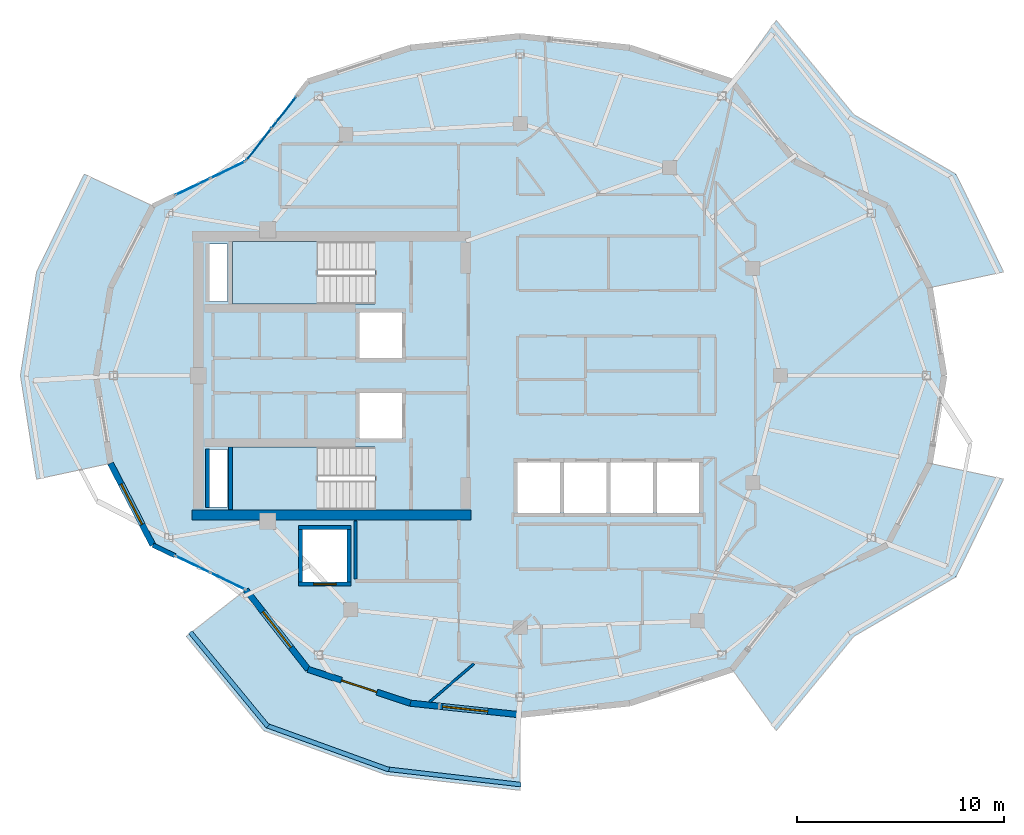
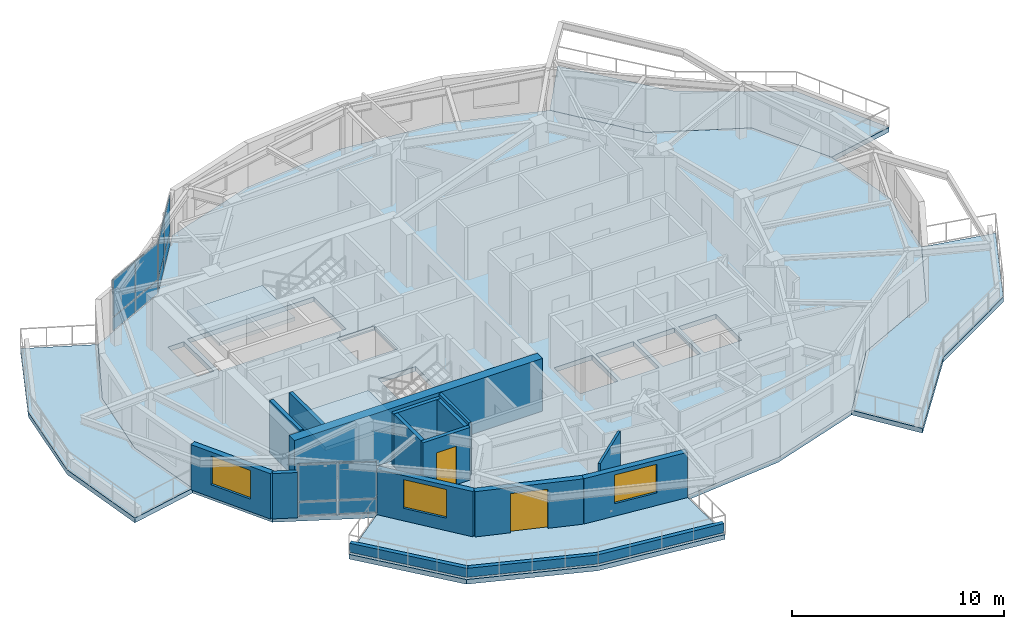
# One storey, part 7 of 14: 17 walls, 15 plates, 7 slabs, 3 windows, 2 doors, 5 openings, 5 elements without a shape of their own.
"""IFC4 building model written with IfcOpenShell, lengths in metres."""

import ifcopenshell
import ifcopenshell.guid

model = None  # the IFC model being written
_history = None  # IfcOwnerHistory: only IFC2X3 demands one
_inside = {}  # id of a spatial element -> (the spatial element, [elements in it])
_under = {}  # id of a project, library or spatial element -> (it, [spatial elements below it])
_declared = {}  # id of a project -> (the project, [libraries it declares])
_typed = {}  # id of a type object -> (the type object, [elements of that type])
_made_of = {}  # id of a material, layer set ... -> (it, [elements and type objects made of it])


def new_model(schema):
    """Start an empty IFC model of exactly this schema.

    Asked for "IFC4X3", IfcOpenShell would pick the latest addendum, in which some entities
    have other attributes; the version numbers below select the first issue.
    IFC2X3 requires an IfcOwnerHistory on every rooted entity: one is made here for all.
    """
    global model, _history
    if schema == "IFC4X3":
        model = ifcopenshell.file(schema_version=(4, 3, 0, 0))
    else:
        model = ifcopenshell.file(schema=schema)
    _inside.clear()
    _under.clear()
    _declared.clear()
    _typed.clear()
    _made_of.clear()
    _history = None
    if model.schema == "IFC2X3":
        org = make("IfcOrganization", Name="unknown")
        user = make(
            "IfcPersonAndOrganization",
            ThePerson=make("IfcPerson", FamilyName="unknown"),
            TheOrganization=org,
        )
        app = make(
            "IfcApplication",
            ApplicationDeveloper=org,
            Version="unknown",
            ApplicationFullName="unknown",
            ApplicationIdentifier="unknown",
        )
        _history = make(
            "IfcOwnerHistory",
            OwningUser=user,
            OwningApplication=app,
            ChangeAction="ADDED",
            CreationDate=0,
        )
    return model


def make(cls, **values):
    """One entity of the class cls with the attributes given. An attribute that is None is left unset."""
    return model.create_entity(
        cls, **{name: value for name, value in values.items() if value is not None}
    )


def rooted(cls, **values):
    """An entity with a GlobalId (a new one), such as an element, a storey or a relation."""
    return make(cls, GlobalId=ifcopenshell.guid.new(), OwnerHistory=_history, **values)


def si_unit(unit_type, name, prefix=None):
    """IfcSIUnit, for example si_unit("LENGTHUNIT", "METRE", prefix="MILLI")."""
    return make("IfcSIUnit", UnitType=unit_type, Prefix=prefix, Name=name)


def assignment(units):
    """IfcUnitAssignment: the units of a project."""
    return None if units is None else make("IfcUnitAssignment", Units=units)


def point(xyz):
    """IfcCartesianPoint."""
    return None if xyz is None else make("IfcCartesianPoint", Coordinates=xyz)


def direction(xyz):
    """IfcDirection."""
    return None if xyz is None else make("IfcDirection", DirectionRatios=xyz)


def frame(location, z_axis=None, x_axis=None):
    """IfcAxis2Placement3D, a coordinate frame: its origin and axes. An axis left out is left unset."""
    return make(
        "IfcAxis2Placement3D",
        Location=point(location),
        Axis=direction(z_axis),
        RefDirection=direction(x_axis),
    )


def frame_2d(location, x_axis=None):
    """IfcAxis2Placement2D, a coordinate frame in the plane: its origin and x axis."""
    return make(
        "IfcAxis2Placement2D", Location=point(location), RefDirection=direction(x_axis)
    )


def origin():
    """The frame at (0, 0, 0) with its axes left unset."""
    return frame((0.0, 0.0, 0.0))


def origin_2d():
    """The frame at (0, 0) in the plane with its x axis left unset."""
    return frame_2d((0.0, 0.0))


def place(relative_to, where):
    """IfcLocalPlacement: puts the frame where relative to a parent placement (None: the world)."""
    return make(
        "IfcLocalPlacement", PlacementRelTo=relative_to, RelativePlacement=where
    )


def context(
    kind, dimensions, precision=None, world=None, true_north=None, identifier=None
):
    """IfcGeometricRepresentationContext, for example the 3D "Model" context."""
    return make(
        "IfcGeometricRepresentationContext",
        ContextIdentifier=identifier,
        ContextType=kind,
        CoordinateSpaceDimension=dimensions,
        Precision=precision,
        WorldCoordinateSystem=world,
        TrueNorth=true_north,
    )


def subcontext(parent, identifier, kind, view, scale=None):
    """IfcGeometricRepresentationSubContext, for example "Body" below "Model"."""
    return make(
        "IfcGeometricRepresentationSubContext",
        ContextIdentifier=identifier,
        ContextType=kind,
        ParentContext=parent,
        TargetScale=scale,
        TargetView=view,
    )


def project(units=None, contexts=None):
    """IfcProject with its units and contexts."""
    return rooted(
        "IfcProject",
        Name="project",
        RepresentationContexts=contexts,
        UnitsInContext=assignment(units),
    )


def spatial(cls, under=None, at=None, **own):
    """A site, building, storey or space (cls), placed at a placement, below another one or the project."""
    s = rooted(cls, ObjectPlacement=at, **own)
    if under is not None:
        _under.setdefault(under.id(), (under, []))[1].append(s)
    return s


def polyline(points):
    """IfcPolyline through the points."""
    return make("IfcPolyline", Points=[point(p) for p in points])


def profile(cls, at=None, kind="AREA", **sizes):
    """A parametric profile (cls). Its sizes go by their IFC names, for example OverallWidth=200.0."""
    return make(cls, ProfileType=kind, Position=at, **sizes)


def rectangle(**sizes):
    """IfcRectangleProfileDef."""
    return profile("IfcRectangleProfileDef", **sizes)


def outline(outer, holes=None, kind="AREA"):
    """IfcArbitraryClosedProfileDef: a profile drawn as a closed curve; with holes, ...WithVoids."""
    if holes is None:
        return make("IfcArbitraryClosedProfileDef", ProfileType=kind, OuterCurve=outer)
    return make(
        "IfcArbitraryProfileDefWithVoids",
        ProfileType=kind,
        OuterCurve=outer,
        InnerCurves=holes,
    )


def extrude(swept, where, along, depth):
    """IfcExtrudedAreaSolid: the profile swept, set in the frame where, extruded along a direction by depth."""
    return make(
        "IfcExtrudedAreaSolid",
        SweptArea=swept,
        Position=where,
        ExtrudedDirection=direction(along),
        Depth=depth,
    )


def shape(context_of_items, identifier, shape_type, items):
    """IfcShapeRepresentation: the items that make up one representation, for example the "Body"."""
    return make(
        "IfcShapeRepresentation",
        ContextOfItems=context_of_items,
        RepresentationIdentifier=identifier,
        RepresentationType=shape_type,
        Items=items,
    )


def material(Name=None, Category=None):
    """IfcMaterial."""
    return make("IfcMaterial", Name=Name, Category=Category)


def layer(
    of_material, thickness, ventilated=None, Name=None, Category=None, Priority=None
):
    """IfcMaterialLayer: one layer of a wall or slab, of a material (None: an air gap)."""
    return make(
        "IfcMaterialLayer",
        Material=of_material,
        LayerThickness=thickness,
        IsVentilated=ventilated,
        Name=Name,
        Category=Category,
        Priority=Priority,
    )


def layer_set(layers, Name=None):
    """IfcMaterialLayerSet."""
    return make("IfcMaterialLayerSet", MaterialLayers=layers, LayerSetName=Name)


def made_of(thing, what):
    """Note that an element or type object is made of a material, layer set ...; save() writes the relation."""
    if what is not None:
        _made_of.setdefault(what.id(), (what, []))[1].append(thing)
    return thing


def type_object(cls, material=None, **own):
    """A type object (cls), such as IfcWallType, which elements share."""
    return made_of(rooted(cls, **own), material)


def element(
    cls,
    number,
    at=None,
    inside=None,
    cuts=None,
    type_object=None,
    material=None,
    context=None,
    identifier="Body",
    shape_type=None,
    held_by="IfcProductDefinitionShape",
    body=None,
    shapes=None,
    **own,
):
    """One element of the class cls, such as IfcWall. Its Tag is "e" and its number.

    at: its placement. inside: the storey or other place that contains it. cuts: it is an
    opening in that element (IfcRelVoidsElement). A single representation is given by context,
    identifier, shape_type and body (its items); several are given by shapes. held_by: the class
    of the entity that holds the representations. save() writes the other relations.
    """
    e = rooted(cls, Tag="e%d" % number, ObjectPlacement=at, **own)
    if body is not None:
        shapes = [shape(context, identifier, shape_type, body)]
    if shapes is not None:
        e.Representation = make(held_by, Representations=shapes)
    if inside is not None:
        _inside.setdefault(inside.id(), (inside, []))[1].append(e)
    if cuts is not None:
        rooted(
            "IfcRelVoidsElement", RelatingBuildingElement=cuts, RelatedOpeningElement=e
        )
    if type_object is not None:
        _typed.setdefault(type_object.id(), (type_object, []))[1].append(e)
    return made_of(e, material)


def fill(opening, filler):
    """IfcRelFillsElement: the door or window that sits in an opening."""
    return rooted(
        "IfcRelFillsElement",
        RelatingOpeningElement=opening,
        RelatedBuildingElement=filler,
    )


def aggregate(whole, parts):
    """IfcRelAggregates: a whole, such as a stair, and the parts it consists of."""
    return rooted("IfcRelAggregates", RelatingObject=whole, RelatedObjects=parts)


def save(model, path):
    """Write the relations noted so far, then the file.

    IfcRelAggregates (storeys below a building ...), IfcRelContainedInSpatialStructure (elements
    in a storey), IfcRelDefinesByType, IfcRelAssociatesMaterial and IfcRelDeclares: one each for
    every whole, place, type object, material and project.
    """
    for whole, parts in _under.values():
        aggregate(whole, parts)
    for where, things in _inside.values():
        rooted(
            "IfcRelContainedInSpatialStructure",
            RelatedElements=things,
            RelatingStructure=where,
        )
    for kind, things in _typed.values():
        rooted("IfcRelDefinesByType", RelatedObjects=things, RelatingType=kind)
    for what, things in _made_of.values():
        rooted("IfcRelAssociatesMaterial", RelatedObjects=things, RelatingMaterial=what)
    for by, libraries in _declared.values():
        rooted("IfcRelDeclares", RelatingContext=by, RelatedDefinitions=libraries)
    model.write(path)


model = new_model("IFC4")

# Units and contexts
model_context = context("Model", 3, precision=1e-05, world=origin(), true_north=direction((0.0, 1.0)))
body_context = subcontext(model_context, "Body", "Model", "MODEL_VIEW")
ifc_project = project(units=[si_unit("LENGTHUNIT", "METRE"), si_unit("AREAUNIT", "SQUARE_METRE"), si_unit("VOLUMEUNIT", "CUBIC_METRE"), si_unit("PLANEANGLEUNIT", "RADIAN"), si_unit("MASSUNIT", "GRAM", prefix="KILO")], contexts=[model_context])

# Site, building, storey
site_placement = place(None, origin())
site = spatial("IfcSite", under=ifc_project, at=site_placement, CompositionType="ELEMENT")
building_placement = place(site_placement, origin())
building = spatial("IfcBuilding", under=site, at=building_placement, Name="Kolvaren Gate Tower and Convention Centre", CompositionType="ELEMENT")
storey_placement = place(building_placement, frame((0.0, 0.0, 259.10009765625)))
storey = spatial("IfcBuildingStorey", under=building, at=storey_placement, Name="L70", CompositionType="ELEMENT", Elevation=259.10009765625)

# Plates
ifc_material_1 = material(Name="Perforated Anodized Bronze Aluminium Sheet 6 mm", Category="aluminium")
ifc_layer_1 = layer(ifc_material_1, 0.011962890625)
ifc_layer_set_1 = layer_set([ifc_layer_1], Name="Perforated Anodized Bronze Aluminium Sheet 6 mm")
plate_type_1 = type_object("IfcPlateType", Name="ARCH-PL-SCREEN-PERF", PredefinedType="SHEET", material=ifc_layer_set_1)
for number, where, z_axis, x_axis, name in (
    (1, (18.352783203125, 39.2998046875, 2.18994140625), (0.0, 0.0, 1.0), (0.616429996253, 0.787409715281, 0.0), "Tower L70 Perforated Bronze Solar Screen SS-08"),
    (2, (14.59521484375, 36.2939453125, 2.18994140625), (0.0, 0.0, 1.0), (0.901356122373, 0.433078677218, 0.0), "Tower L70 Perforated Bronze Solar Screen SS-09"),
    (3, (14.59521484375, 17.7060546875, 2.18994140625), (0.0, 0.0, 1.0), (0.901356122373, -0.433078677218, 0.0), "Tower L70 Perforated Bronze Solar Screen SS-14"),
):
    element("IfcPlate", number, at=place(storey_placement, frame(where, z_axis=z_axis, x_axis=x_axis)), inside=storey, type_object=plate_type_1, Name=name, PredefinedType="SHEET", context=body_context, shape_type="SweptSolid", body=[
        extrude(rectangle(XDim=2.60009765625, YDim=0.011962890625, at=origin_2d()), origin(), (0.0, 0.0, 1.0), 0.840087890625),
    ])

# Curtain wall, plates
ifc_material_2 = material(Name="Anodized Architectural Aluminium Alloy 6063-T6", Category="aluminium")
ifc_layer_2 = layer(ifc_material_2, 0.159912109375)
ifc_layer_set_2 = layer_set([ifc_layer_2], Name="Anodized Architectural Aluminium Alloy 6063-T6")
curtain_wall_type = type_object("IfcCurtainWallType", Name="CW-RES-UNIT", PredefinedType="NOTDEFINED", material=ifc_layer_set_2)
curtain_wall_1_placement = place(storey_placement, origin())
curtain_wall_1 = element("IfcCurtainWall", 4, at=curtain_wall_1_placement, inside=storey, type_object=curtain_wall_type, Name="Tower L70 Unitised Curtain Wall CW-RES-UNIT Bay 08", PredefinedType="NOTDEFINED")
ifc_material_3 = material(Name="Low-E Triple Insulated Glazing Unit 44 mm", Category="glass")
ifc_layer_3 = layer(ifc_material_3, 0.0439453125)
ifc_layer_set_3 = layer_set([ifc_layer_3], Name="Low-E Triple Insulated Glazing Unit 44 mm")
plate_type_2 = type_object("IfcPlateType", Name="CW-PL-IGU-44", PredefinedType="CURTAIN_PANEL", material=ifc_layer_set_3)
plate_1_placement = place(storey_placement, frame((17.474365234375, 38.177978515625, 0.88232421875), z_axis=(0.0, 0.0, 1.0), x_axis=(0.616425867976, 0.787412947119, 0.0)))
plate_1 = element("IfcPlate", 5, at=plate_1_placement, type_object=plate_type_2, Name="CW-04 panel 1.2", PredefinedType="CURTAIN_PANEL", context=body_context, shape_type="SweptSolid", body=[
    extrude(rectangle(XDim=1.908447265625, YDim=0.0439453125, at=origin_2d()), origin(), (0.0, 0.0, 1.0), 2.08251953125),
])
plate_2_placement = place(storey_placement, frame((18.69091796875, 39.73193359375, 0.88232421875), z_axis=(0.0, 0.0, 1.0), x_axis=(0.616425867976, 0.787412947119, 0.0)))
plate_2 = element("IfcPlate", 6, at=plate_2_placement, type_object=plate_type_2, Name="CW-04 panel 2.2", PredefinedType="CURTAIN_PANEL", context=body_context, shape_type="SweptSolid", body=[
    extrude(rectangle(XDim=1.908447265625, YDim=0.0439453125, at=origin_2d()), origin(), (0.0, 0.0, 1.0), 2.08251953125),
])

curtain_wall_2_placement = place(storey_placement, origin())
curtain_wall_2 = element("IfcCurtainWall", 7, at=curtain_wall_2_placement, inside=storey, type_object=curtain_wall_type, Name="Tower L70 Unitised Curtain Wall CW-RES-UNIT Bay 09", PredefinedType="NOTDEFINED")
plate_3_placement = place(storey_placement, frame((14.282958984375, 36.143798828125, 0.88232421875), z_axis=(0.0, 0.0, 1.0), x_axis=(0.901360122469, 0.433070351816, 0.0)))
plate_3 = element("IfcPlate", 8, at=plate_3_placement, type_object=plate_type_2, Name="CW-04 panel 1.2", PredefinedType="CURTAIN_PANEL", context=body_context, shape_type="SweptSolid", body=[
    extrude(rectangle(XDim=1.80908203125, YDim=0.0439453125, at=origin_2d()), origin(), (0.0, 0.0, 1.0), 2.08251953125),
])
plate_4_placement = place(storey_placement, frame((15.97216796875, 36.95556640625, 0.88232421875), z_axis=(0.0, 0.0, 1.0), x_axis=(0.901360122469, 0.433070351816, 0.0)))
plate_4 = element("IfcPlate", 9, at=plate_4_placement, type_object=plate_type_2, Name="CW-04 panel 2.2", PredefinedType="CURTAIN_PANEL", context=body_context, shape_type="SweptSolid", body=[
    extrude(rectangle(XDim=1.80908203125, YDim=0.0439453125, at=origin_2d()), origin(), (0.0, 0.0, 1.0), 2.08251953125),
])

curtain_wall_3_placement = place(storey_placement, origin())
curtain_wall_3 = element("IfcCurtainWall", 10, at=curtain_wall_3_placement, inside=storey, type_object=curtain_wall_type, Name="Tower L70 Unitised Curtain Wall CW-RES-UNIT Bay 14", PredefinedType="NOTDEFINED")
plate_5_placement = place(storey_placement, frame((14.282958984375, 17.856201171875, 0.88232421875), z_axis=(0.0, 0.0, 1.0), x_axis=(0.901360122469, -0.433070351816, 0.0)))
plate_5 = element("IfcPlate", 11, at=plate_5_placement, type_object=plate_type_2, Name="CW-04 panel 1.2", PredefinedType="CURTAIN_PANEL", context=body_context, shape_type="SweptSolid", body=[
    extrude(rectangle(XDim=1.80908203125, YDim=0.0439453125, at=origin_2d()), origin(), (0.0, 0.0, 1.0), 2.08251953125),
])
plate_6_placement = place(storey_placement, frame((15.97216796875, 17.04443359375, 0.88232421875), z_axis=(0.0, 0.0, 1.0), x_axis=(0.901360122469, -0.433070351816, 0.0)))
plate_6 = element("IfcPlate", 12, at=plate_6_placement, type_object=plate_type_2, Name="CW-04 panel 2.2", PredefinedType="CURTAIN_PANEL", context=body_context, shape_type="SweptSolid", body=[
    extrude(rectangle(XDim=1.80908203125, YDim=0.0439453125, at=origin_2d()), origin(), (0.0, 0.0, 1.0), 2.08251953125),
])

# Plate
ifc_material_4 = material(Name="Solar-Control Laminated Curtain Glazing 36 mm", Category="glass")
ifc_layer_4 = layer(ifc_material_4, 0.035888671875)
ifc_layer_set_4 = layer_set([ifc_layer_4], Name="Solar-Control Laminated Curtain Glazing 36 mm")
plate_type_3 = type_object("IfcPlateType", Name="CW-PL-SPAN-36", PredefinedType="CURTAIN_PANEL", material=ifc_layer_set_4)
plate_7_placement = place(storey_placement, frame((17.474365234375, 38.177978515625, 0.06494140625), z_axis=(0.0, 0.0, 1.0), x_axis=(0.616425867976, 0.787412947119, 0.0)))
plate_7 = element("IfcPlate", 13, at=plate_7_placement, type_object=plate_type_3, Name="CW-04 panel 1.1", PredefinedType="CURTAIN_PANEL", context=body_context, shape_type="SweptSolid", body=[
    extrude(rectangle(XDim=1.908447265625, YDim=0.035888671875, at=origin_2d()), origin(), (0.0, 0.0, 1.0), 0.75244140625),
])

plate_8_placement = place(storey_placement, frame((18.69091796875, 39.73193359375, 0.06494140625), z_axis=(0.0, 0.0, 1.0), x_axis=(0.616425867976, 0.787412947119, 0.0)))
plate_8 = element("IfcPlate", 14, at=plate_8_placement, type_object=plate_type_3, Name="CW-04 panel 2.1", PredefinedType="CURTAIN_PANEL", context=body_context, shape_type="SweptSolid", body=[
    extrude(rectangle(XDim=1.908447265625, YDim=0.035888671875, at=origin_2d()), origin(), (0.0, 0.0, 1.0), 0.75244140625),
])

aggregate(curtain_wall_1, [plate_7, plate_1, plate_8, plate_2])

plate_9_placement = place(storey_placement, frame((14.282958984375, 36.143798828125, 0.06494140625), z_axis=(0.0, 0.0, 1.0), x_axis=(0.901360122469, 0.433070351816, 0.0)))
plate_9 = element("IfcPlate", 15, at=plate_9_placement, type_object=plate_type_3, Name="CW-04 panel 1.1", PredefinedType="CURTAIN_PANEL", context=body_context, shape_type="SweptSolid", body=[
    extrude(rectangle(XDim=1.80908203125, YDim=0.035888671875, at=origin_2d()), origin(), (0.0, 0.0, 1.0), 0.75244140625),
])

plate_10_placement = place(storey_placement, frame((15.97216796875, 36.95556640625, 0.06494140625), z_axis=(0.0, 0.0, 1.0), x_axis=(0.901360122469, 0.433070351816, 0.0)))
plate_10 = element("IfcPlate", 16, at=plate_10_placement, type_object=plate_type_3, Name="CW-04 panel 2.1", PredefinedType="CURTAIN_PANEL", context=body_context, shape_type="SweptSolid", body=[
    extrude(rectangle(XDim=1.80908203125, YDim=0.035888671875, at=origin_2d()), origin(), (0.0, 0.0, 1.0), 0.75244140625),
])

aggregate(curtain_wall_2, [plate_9, plate_3, plate_10, plate_4])

plate_11_placement = place(storey_placement, frame((14.282958984375, 17.856201171875, 0.06494140625), z_axis=(0.0, 0.0, 1.0), x_axis=(0.901360122469, -0.433070351816, 0.0)))
plate_11 = element("IfcPlate", 17, at=plate_11_placement, type_object=plate_type_3, Name="CW-04 panel 1.1", PredefinedType="CURTAIN_PANEL", context=body_context, shape_type="SweptSolid", body=[
    extrude(rectangle(XDim=1.80908203125, YDim=0.035888671875, at=origin_2d()), origin(), (0.0, 0.0, 1.0), 0.75244140625),
])

plate_12_placement = place(storey_placement, frame((15.97216796875, 17.04443359375, 0.06494140625), z_axis=(0.0, 0.0, 1.0), x_axis=(0.901360122469, -0.433070351816, 0.0)))
plate_12 = element("IfcPlate", 18, at=plate_12_placement, type_object=plate_type_3, Name="CW-04 panel 2.1", PredefinedType="CURTAIN_PANEL", context=body_context, shape_type="SweptSolid", body=[
    extrude(rectangle(XDim=1.80908203125, YDim=0.035888671875, at=origin_2d()), origin(), (0.0, 0.0, 1.0), 0.75244140625),
])

aggregate(curtain_wall_3, [plate_11, plate_5, plate_12, plate_6])

# Slabs
ifc_material_5 = material(Name="Concrete C50/60", Category="concrete")
ifc_layer_5 = layer(ifc_material_5, 0.27001953125)
ifc_layer_set_5 = layer_set([ifc_layer_5], Name="Concrete C50/60")
slab_type_1 = type_object("IfcSlabType", Name="STR-SL-BALC-270", PredefinedType="FLOOR", material=ifc_layer_set_5)
slab_1_placement = place(storey_placement, frame((0.0, 0.0, -0.27001953125)))
element("IfcSlab", 19, at=slab_1_placement, inside=storey, type_object=slab_type_1, Name="Tower L70 Planted Balcony Terrace Slab 1 (East)", PredefinedType="FLOOR", context=body_context, shape_type="SweptSolid", body=[
    extrude(outline(polyline([(49.956787109375, 31.251220703125), (47.905517578125, 35.21240234375), (43.40380859375, 37.37548828125), (40.390625, 41.224609375), (42.532470703125, 44.1923828125), (46.287841796875, 39.62890625), (51.228271484375, 36.747314453125), (53.535400390625, 32.018310546875), (49.956787109375, 31.251220703125)])), origin(), (0.0, 0.0, 1.0), 0.27001953125),
])
slab_2_placement = place(storey_placement, frame((0.0, 0.0, -0.27001953125)))
element("IfcSlab", 20, at=slab_2_placement, inside=storey, type_object=slab_type_1, Name="Tower L70 Planted Balcony Terrace Slab 2 (West)", PredefinedType="FLOOR", context=body_context, shape_type="SweptSolid", body=[
    extrude(outline(polyline([(12.344482421875, 35.21240234375), (10.293212890625, 31.251220703125), (9.59375, 27.0), (10.293212890625, 22.748779296875), (6.714599609375, 21.981689453125), (5.933837890625, 27.0), (6.714599609375, 32.018310546875), (9.021728515625, 36.747314453125), (12.344482421875, 35.21240234375)])), origin(), (0.0, 0.0, 1.0), 0.27001953125),
])
slab_3_placement = place(storey_placement, frame((0.0, 0.0, -0.27001953125)))
element("IfcSlab", 21, at=slab_3_placement, inside=storey, type_object=slab_type_1, Name="Tower L70 Planted Balcony Terrace Slab 3 (South)", PredefinedType="FLOOR", context=body_context, shape_type="SweptSolid", body=[
    extrude(outline(polyline([(16.84619140625, 16.62451171875), (19.859375, 12.775390625), (24.81103515625, 11.134765625), (30.125, 10.574951171875), (30.125, 6.9150390625), (23.648681640625, 7.664306640625), (17.717529296875, 9.8076171875), (13.962158203125, 14.37109375), (16.84619140625, 16.62451171875)])), origin(), (0.0, 0.0, 1.0), 0.27001953125),
])
slab_4_placement = place(storey_placement, frame((0.0, 0.0, -0.27001953125)))
element("IfcSlab", 22, at=slab_4_placement, inside=storey, type_object=slab_type_1, Name="Tower L70 Planted Balcony Terrace Slab 4 (East)", PredefinedType="FLOOR", context=body_context, shape_type="SweptSolid", body=[
    extrude(outline(polyline([(40.390625, 12.775390625), (43.40380859375, 16.62451171875), (47.905517578125, 18.78759765625), (49.956787109375, 22.748779296875), (53.535400390625, 21.981689453125), (51.228271484375, 17.252685546875), (46.287841796875, 14.37109375), (42.532470703125, 9.8076171875), (40.390625, 12.775390625)])), origin(), (0.0, 0.0, 1.0), 0.27001953125),
])
ifc_material_6 = material(Name="Concrete C40/50", Category="concrete")
ifc_layer_6 = layer(ifc_material_6, 0.27001953125)
ifc_layer_set_6 = layer_set([ifc_layer_6], Name="Concrete C40/50")
slab_type_2 = type_object("IfcSlabType", Name="STR-SL-FLR-270", PredefinedType="FLOOR", material=ifc_layer_set_6)
slab_5_placement = place(storey_placement, frame((0.0, 0.0, -0.27001953125)))
element("IfcSlab", 23, at=slab_5_placement, inside=storey, type_object=slab_type_2, Name="Tower L70 Structural Floor Slab", PredefinedType="FLOOR", context=body_context, shape_type="SweptSolid", body=[
    extrude(outline(polyline([(50.65625, 27.0), (49.95654296875, 31.251220703125), (47.905517578125, 35.21240234375), (43.40380859375, 37.37548828125), (40.390625, 41.224609375), (35.43896484375, 42.865234375), (30.125, 43.425048828125), (24.81103515625, 42.865234375), (19.859375, 41.224609375), (16.84619140625, 37.37548828125), (12.344482421875, 35.21240234375), (10.29345703125, 31.251220703125), (9.59375, 27.0), (10.29345703125, 22.748779296875), (12.344482421875, 18.78759765625), (16.84619140625, 16.62451171875), (19.859375, 12.775390625), (24.81103515625, 11.134765625), (30.125, 10.574951171875), (35.43896484375, 11.134765625), (40.390625, 12.775390625), (43.40380859375, 16.62451171875), (47.905517578125, 18.78759765625), (49.95654296875, 22.748779296875), (50.65625, 27.0)]), holes=[polyline([(36.75, 20.35009765625), (36.75, 22.800048828125), (38.800048828125, 22.800048828125), (38.800048828125, 20.35009765625), (36.75, 20.35009765625)]), polyline([(36.550048828125, 20.35009765625), (34.5, 20.35009765625), (34.5, 22.800048828125), (36.550048828125, 22.800048828125), (36.550048828125, 20.35009765625)]), polyline([(32.25, 20.35009765625), (32.25, 22.800048828125), (34.300048828125, 22.800048828125), (34.300048828125, 20.35009765625), (32.25, 20.35009765625)]), polyline([(30.0, 20.35009765625), (30.0, 22.800048828125), (32.050048828125, 22.800048828125), (32.050048828125, 20.35009765625), (30.0, 20.35009765625)]), polyline([(22.35009765625, 23.9599609375), (22.35009765625, 26.159912109375), (24.39990234375, 26.159912109375), (24.39990234375, 23.9599609375), (22.35009765625, 23.9599609375)]), polyline([(22.35009765625, 27.840087890625), (22.35009765625, 30.0400390625), (24.39990234375, 30.0400390625), (24.39990234375, 27.840087890625), (22.35009765625, 27.840087890625)]), polyline([(16.199951171875, 23.5400390625), (23.10009765625, 23.5400390625), (23.10009765625, 20.5), (16.199951171875, 20.5), (16.199951171875, 23.5400390625)]), polyline([(16.199951171875, 33.5), (23.10009765625, 33.5), (23.10009765625, 30.4599609375), (16.199951171875, 30.4599609375), (16.199951171875, 33.5)]), polyline([(21.75, 17.0), (19.60009765625, 17.0), (19.60009765625, 19.550048828125), (21.75, 19.550048828125), (21.75, 17.0)]), polyline([(15.080078125, 30.580078125), (15.080078125, 33.3701171875), (15.969970703125, 33.3701171875), (15.969970703125, 30.580078125), (15.080078125, 30.580078125)]), polyline([(15.969970703125, 20.6298828125), (15.080078125, 20.6298828125), (15.080078125, 23.419921875), (15.969970703125, 23.419921875), (15.969970703125, 20.6298828125)])]), origin(), (0.0, 0.0, 1.0), 0.27001953125),
])

# Stair, slab
stair_type = type_object("IfcStairType", Name="STR-STAIR-CORE", PredefinedType="HALF_TURN_STAIR", material=ifc_material_5)
stair_1_placement = place(storey_placement, origin())
stair_1 = element("IfcStair", 24, at=stair_1_placement, inside=storey, type_object=stair_type, Name="L70 Tower North Exit Stair ST-T1", PredefinedType="HALF_TURN_STAIR")
ifc_layer_7 = layer(ifc_material_5, 0.199951171875)
ifc_layer_set_7 = layer_set([ifc_layer_7], Name="Concrete C50/60")
slab_type_3 = type_object("IfcSlabType", Name="STR-SL-LAND-200", PredefinedType="LANDING", material=ifc_layer_set_7)
slab_6_placement = place(storey_placement, frame((0.0, 0.0, 1.449951171875)))
slab_6 = element("IfcSlab", 25, at=slab_6_placement, type_object=slab_type_3, Name="ST-T1 landing 1", PredefinedType="LANDING", context=body_context, shape_type="SweptSolid", body=[
    extrude(outline(polyline([(20.31005859375, 33.5), (16.199951171875, 33.5), (16.199951171875, 30.4599609375), (20.31005859375, 30.4599609375), (20.31005859375, 33.5)])), origin(), (0.0, 0.0, 1.0), 0.199951171875),
])
aggregate(stair_1, [slab_6])

stair_2_placement = place(storey_placement, origin())
stair_2 = element("IfcStair", 26, at=stair_2_placement, inside=storey, type_object=stair_type, Name="L70 Tower South Exit Stair ST-T2", PredefinedType="HALF_TURN_STAIR")
slab_7_placement = place(storey_placement, frame((0.0, 0.0, 1.449951171875)))
slab_7 = element("IfcSlab", 27, at=slab_7_placement, type_object=slab_type_3, Name="ST-T2 landing 1", PredefinedType="LANDING", context=body_context, shape_type="SweptSolid", body=[
    extrude(outline(polyline([(20.31005859375, 23.5400390625), (16.199951171875, 23.5400390625), (16.199951171875, 20.5), (20.31005859375, 20.5), (20.31005859375, 23.5400390625)])), origin(), (0.0, 0.0, 1.0), 0.199951171875),
])
aggregate(stair_2, [slab_7])

# Walls
ifc_material_7 = material(Name="Fire-Rated Acoustic Gypsum Stud Partition", Category="gypsum")
ifc_layer_8 = layer(ifc_material_7, 0.1201171875)
ifc_layer_set_8 = layer_set([ifc_layer_8], Name="Fire-Rated Acoustic Gypsum Stud Partition")
wall_type_1 = type_object("IfcWallType", Name="ARCH-WL-PART-120", PredefinedType="PARTITIONING", material=ifc_layer_set_8)
wall_1_placement = place(storey_placement, frame((25.738525390625, 11.18994140625, 0.0), z_axis=(0.0, 0.0, 1.0), x_axis=(0.75818689734, 0.652037290883, 0.0)))
element("IfcWall", 28, at=wall_1_placement, inside=storey, type_object=wall_type_1, Name="Interior Partition WL-L70-INT-073", PredefinedType="PARTITIONING", context=body_context, shape_type="SweptSolid", body=[
    extrude(rectangle(XDim=2.838134765625, YDim=0.1201171875, at=frame_2d((1.4189453125, 0.0))), origin(), (0.0, 0.0, 1.0), 3.02978515625),
])
ifc_material_8 = material(Name="Bogota Sabana Bush-Hammered Sandstone Cladding", Category="masonry")
ifc_layer_9 = layer(ifc_material_8, 0.219970703125)
ifc_layer_set_9 = layer_set([ifc_layer_9], Name="Bogota Sabana Bush-Hammered Sandstone Cladding")
wall_type_2 = type_object("IfcWallType", Name="ARCH-WL-PIER-220", PredefinedType="SOLIDWALL", material=ifc_layer_set_9)
wall_2_placement = place(storey_placement, frame((12.344482421875, 18.78759765625, 0.0), z_axis=(0.0, 0.0, 1.0), x_axis=(0.901264843027, -0.433268603437, 0.0)))
element("IfcWall", 29, at=wall_2_placement, inside=storey, type_object=wall_type_2, Name="Tower L70 Unitised Curtain Wall CW-RES-UNIT Bay 14 Left Column Pier Wrap", PredefinedType="SOLIDWALL", context=body_context, shape_type="SweptSolid", body=[
    extrude(rectangle(XDim=1.18115234375, YDim=0.219970703125, at=frame_2d((0.590576171875, 0.0))), origin(), (0.0, 0.0, 1.0), 2.60498046875),
])
ifc_material_9 = material(Name="Piedmont Cream Honed Limestone Cladding", Category="masonry")
ifc_layer_10 = layer(ifc_material_9, 0.219970703125)
ifc_layer_set_10 = layer_set([ifc_layer_10], Name="Piedmont Cream Honed Limestone Cladding")
wall_type_3 = type_object("IfcWallType", Name="ARCH-WL-PLANTER-220", PredefinedType="PARAPET", material=ifc_layer_set_10)
wall_3_placement = place(storey_placement, frame((14.15576171875, 14.573486328125, 0.0), z_axis=(0.0, 0.0, 1.0), x_axis=(0.635450933862, -0.772141250455, 0.0)))
element("IfcWall", 30, at=wall_3_placement, inside=storey, type_object=wall_type_3, Name="Vertical-Forest Balcony Stone Planter Kerb PK-L70-3.1", PredefinedType="PARAPET", context=body_context, shape_type="SweptSolid", body=[
    extrude(rectangle(XDim=5.91015625, YDim=0.219970703125, at=frame_2d((2.955078125, 0.0))), origin(), (0.0, 0.0, 1.0), 0.52001953125),
])
wall_4_placement = place(storey_placement, frame((17.84619140625, 10.056396484375, 0.0), z_axis=(0.0, 0.0, 1.0), x_axis=(0.940465240036, -0.339889882585, 0.0)))
element("IfcWall", 31, at=wall_4_placement, inside=storey, type_object=wall_type_3, Name="Vertical-Forest Balcony Stone Planter Kerb PK-L70-3.2", PredefinedType="PARAPET", context=body_context, shape_type="SweptSolid", body=[
    extrude(rectangle(XDim=6.306640625, YDim=0.219970703125, at=frame_2d((3.1533203125, 0.0))), origin(), (0.0, 0.0, 1.0), 0.52001953125),
])
wall_5_placement = place(storey_placement, frame((23.694091796875, 7.9404296875, 0.0), z_axis=(0.0, 0.0, 1.0), x_axis=(0.993378231371, -0.114889901378, 0.0)))
element("IfcWall", 32, at=wall_5_placement, inside=storey, type_object=wall_type_3, Name="Vertical-Forest Balcony Stone Planter Kerb PK-L70-3.3", PredefinedType="PARAPET", context=body_context, shape_type="SweptSolid", body=[
    extrude(rectangle(XDim=6.51953125, YDim=0.219970703125, at=frame_2d((3.259765625, 0.0))), origin(), (0.0, 0.0, 1.0), 0.52001953125),
])
ifc_material_10 = material(Name="Autoclaved Aerated Masonry Blockwork Class 4 (4.0 MPa)", Category="masonry")
ifc_layer_11 = layer(ifc_material_10, 0.199951171875)
ifc_layer_set_11 = layer_set([ifc_layer_11], Name="Autoclaved Aerated Masonry Blockwork Class 4 (4.0 MPa)")
wall_type_4 = type_object("IfcWallType", Name="ARCH-WL-SHAFT-200", PredefinedType="SOLIDWALL", material=ifc_layer_set_11)
wall_6_placement = place(storey_placement, frame((19.39990234375, 19.64990234375, 0.0), z_axis=(0.0, 0.0, 1.0), x_axis=(1.0, 0.0, 0.0)))
element("IfcWall", 33, at=wall_6_placement, inside=storey, type_object=wall_type_4, Name="Elevator SV-01 L70 Fire Shaft Wall N", PredefinedType="SOLIDWALL", context=body_context, shape_type="SweptSolid", body=[
    extrude(rectangle(XDim=2.550048828125, YDim=0.199951171875, at=frame_2d((1.27490234375, 0.0))), origin(), (0.0, 0.0, 1.0), 3.02978515625),
])

# Wall, opening, door
wall_7_placement = place(storey_placement, frame((19.39990234375, 16.89990234375, 0.0), z_axis=(0.0, 0.0, 1.0), x_axis=(1.0, 0.0, 0.0)))
wall_7 = element("IfcWall", 34, at=wall_7_placement, inside=storey, type_object=wall_type_4, Name="Elevator SV-01 L70 Fire Shaft Wall S", PredefinedType="SOLIDWALL", context=body_context, shape_type="SweptSolid", body=[
    extrude(rectangle(XDim=2.550048828125, YDim=0.199951171875, at=frame_2d((1.27490234375, 0.0))), origin(), (0.0, 0.0, 1.0), 3.02978515625),
])
opening_1_placement = place(wall_7_placement, frame((0.72509765625, 0.0, 0.0)))
opening_1 = element("IfcOpeningElement", 35, at=opening_1_placement, cuts=wall_7, Name="Opening LD", PredefinedType="OPENING", context=body_context, shape_type="SweptSolid", body=[
    extrude(rectangle(XDim=1.10009765625, YDim=2.199951171875, at=frame_2d((0.550048828125, 1.10009765625))), frame((0.0, 0.10986328125, 0.0), z_axis=(0.0, -1.0, 0.0), x_axis=(1.0, 0.0, 0.0)), (0.0, 0.0, 1.0), 0.219970703125),
])
ifc_material_11 = material(Name="Brushed Stainless Steel Grade 316L", Category="steel")
door_type_1 = type_object("IfcDoorType", Name="ARCH-DR-LIFT-1100", OperationType="SLIDING_TO_LEFT", PredefinedType="DOOR", material=ifc_material_11)
door_1_placement = place(opening_1_placement, origin())
door_1 = element("IfcDoor", 36, at=door_1_placement, inside=storey, type_object=door_type_1, Name="Elevator SV-01 L70 Sliding Landing Door", OperationType="SLIDING_TO_LEFT", OverallHeight=2.199951171875, OverallWidth=1.10009765625, PredefinedType="DOOR", context=body_context, shape_type="SweptSolid", body=[
    extrude(rectangle(XDim=1.10009765625, YDim=2.199951171875, at=frame_2d((0.550048828125, 1.10009765625))), frame((0.0, 0.02490234375, 0.0), z_axis=(0.0, -1.0, 0.0), x_axis=(1.0, 0.0, 0.0)), (0.0, 0.0, 1.0), 0.050048828125),
])
fill(opening_1, door_1)

# Walls
for number, where, z_axis, x_axis, name in (
    (37, (19.5, 17.010009765625, 0.0), (0.0, 0.0, 1.0), (0.0, 1.0, 0.0), "Elevator SV-01 L70 Fire Shaft Wall W"),
    (38, (21.85009765625, 17.010009765625, 0.0), (0.0, 0.0, 1.0), (0.0, 1.0, 0.0), "Elevator SV-01 L70 Fire Shaft Wall E"),
):
    element("IfcWall", number, at=place(storey_placement, frame(where, z_axis=z_axis, x_axis=x_axis)), inside=storey, type_object=wall_type_4, Name=name, PredefinedType="SOLIDWALL", context=body_context, shape_type="SweptSolid", body=[
        extrude(rectangle(XDim=2.530029296875, YDim=0.199951171875, at=frame_2d((1.26513671875, 0.0))), origin(), (0.0, 0.0, 1.0), 3.02978515625),
    ])
wall_8_placement = place(storey_placement, frame((14.989990234375, 20.60009765625, 0.0), z_axis=(0.0, 0.0, 1.0), x_axis=(0.0, 1.0, 0.0)))
element("IfcWall", 39, at=wall_8_placement, inside=storey, type_object=wall_type_4, Name="Vertical Shaft MPR L70 EI-120 Enclosure Wall W", PredefinedType="SOLIDWALL", context=body_context, shape_type="SweptSolid", body=[
    extrude(rectangle(XDim=2.849853515625, YDim=0.199951171875, at=frame_2d((1.4248046875, 0.0))), origin(), (0.0, 0.0, 1.0), 3.02978515625),
])

# Wall, opening, window
ifc_layer_12 = layer(ifc_material_9, 0.300048828125)
ifc_layer_set_12 = layer_set([ifc_layer_12], Name="Piedmont Cream Honed Limestone Cladding")
wall_type_5 = type_object("IfcWallType", Name="ARCH-WL-STONE-300", PredefinedType="SOLIDWALL", material=ifc_layer_set_12)
wall_9_placement = place(storey_placement, frame((10.29345703125, 22.748779296875, 0.0), z_axis=(0.0, 0.0, 1.0), x_axis=(0.459801070243, -0.888021945564, 0.0)))
wall_9 = element("IfcWall", 40, at=wall_9_placement, inside=storey, type_object=wall_type_5, Name="Tower L70 Honed Stone Spandrel Wall EW-13", PredefinedType="SOLIDWALL", context=body_context, shape_type="SweptSolid", body=[
    extrude(rectangle(XDim=4.460693359375, YDim=0.300048828125, at=frame_2d((2.23046875, 0.0))), origin(), (0.0, 0.0, 1.0), 2.60498046875),
])
opening_2_placement = place(wall_9_placement, frame((1.1298828125, 0.0, 0.719970703125)))
opening_2 = element("IfcOpeningElement", 41, at=opening_2_placement, cuts=wall_9, Name="Opening W-03", PredefinedType="OPENING", context=body_context, shape_type="SweptSolid", body=[
    extrude(rectangle(XDim=2.199951171875, YDim=1.64990234375, at=frame_2d((1.10009765625, 0.824951171875))), frame((0.0, 0.159912109375, 0.0), z_axis=(0.0, -1.0, 0.0), x_axis=(1.0, 0.0, 0.0)), (0.0, 0.0, 1.0), 0.320068359375),
])
window_type = type_object("IfcWindowType", Name="ARCH-WN-RES-2200", PartitioningType="SINGLE_PANEL", PredefinedType="WINDOW", material=ifc_material_3)
window_1_placement = place(opening_2_placement, origin())
window_1 = element("IfcWindow", 42, at=window_1_placement, inside=storey, type_object=window_type, Name="Tower L70 Punched Stone Facade Window W-13", OverallHeight=1.64990234375, OverallWidth=2.199951171875, PartitioningType="SINGLE_PANEL", PredefinedType="WINDOW", context=body_context, shape_type="SweptSolid", body=[
    extrude(rectangle(XDim=2.199951171875, YDim=1.64990234375, at=frame_2d((1.10009765625, 0.824951171875))), frame((0.0, 0.030029296875, 0.0), z_axis=(0.0, -1.0, 0.0), x_axis=(1.0, 0.0, 0.0)), (0.0, 0.0, 1.0), 0.06005859375),
])
fill(opening_2, window_1)

wall_10_placement = place(storey_placement, frame((16.84619140625, 16.62451171875, 0.0), z_axis=(0.0, 0.0, 1.0), x_axis=(0.616413297421, -0.78742278781, 0.0)))
wall_10 = element("IfcWall", 43, at=wall_10_placement, inside=storey, type_object=wall_type_5, Name="Tower L70 Honed Stone Spandrel Wall EW-15", PredefinedType="SOLIDWALL", context=body_context, shape_type="SweptSolid", body=[
    extrude(rectangle(XDim=4.88818359375, YDim=0.300048828125, at=frame_2d((2.444091796875, 0.0))), origin(), (0.0, 0.0, 1.0), 2.60498046875),
])
opening_3_placement = place(wall_10_placement, frame((1.343994140625, 0.0, 0.719970703125)))
opening_3 = element("IfcOpeningElement", 44, at=opening_3_placement, cuts=wall_10, Name="Opening W-03", PredefinedType="OPENING", context=body_context, shape_type="SweptSolid", body=[
    extrude(rectangle(XDim=2.199951171875, YDim=1.64990234375, at=frame_2d((1.10009765625, 0.824951171875))), frame((0.0, 0.159912109375, 0.0), z_axis=(0.0, -1.0, 0.0), x_axis=(1.0, 0.0, 0.0)), (0.0, 0.0, 1.0), 0.320068359375),
])
window_2_placement = place(opening_3_placement, origin())
window_2 = element("IfcWindow", 45, at=window_2_placement, inside=storey, type_object=window_type, Name="Tower L70 Punched Stone Facade Window W-15", OverallHeight=1.64990234375, OverallWidth=2.199951171875, PartitioningType="SINGLE_PANEL", PredefinedType="WINDOW", context=body_context, shape_type="SweptSolid", body=[
    extrude(rectangle(XDim=2.199951171875, YDim=1.64990234375, at=frame_2d((1.10009765625, 0.824951171875))), frame((0.0, 0.030029296875, 0.0), z_axis=(0.0, -1.0, 0.0), x_axis=(1.0, 0.0, 0.0)), (0.0, 0.0, 1.0), 0.06005859375),
])
fill(opening_3, window_2)

# Wall, opening, door
wall_11_placement = place(storey_placement, frame((19.859375, 12.775390625, 0.0), z_axis=(0.0, 0.0, 1.0), x_axis=(0.949252744709, -0.314514271001, 0.0)))
wall_11 = element("IfcWall", 46, at=wall_11_placement, inside=storey, type_object=wall_type_5, Name="Tower L70 Honed Stone Spandrel Wall EW-16", PredefinedType="SOLIDWALL", context=body_context, shape_type="SweptSolid", body=[
    extrude(rectangle(XDim=5.21630859375, YDim=0.300048828125, at=frame_2d((2.608154296875, 0.0))), origin(), (0.0, 0.0, 1.0), 2.60498046875),
])
opening_4_placement = place(wall_11_placement, frame((1.7080078125, 0.0, 0.0)))
opening_4 = element("IfcOpeningElement", 47, at=opening_4_placement, cuts=wall_11, Name="Opening DB-01", PredefinedType="OPENING", context=body_context, shape_type="SweptSolid", body=[
    extrude(rectangle(XDim=1.800048828125, YDim=2.25, at=frame_2d((0.89990234375, 1.125))), frame((0.0, 0.159912109375, 0.0), z_axis=(0.0, -1.0, 0.0), x_axis=(1.0, 0.0, 0.0)), (0.0, 0.0, 1.0), 0.320068359375),
])
door_type_2 = type_object("IfcDoorType", Name="ARCH-DR-BALC-1800", OperationType="SLIDING_TO_LEFT", PredefinedType="DOOR", material=ifc_material_2)
door_2_placement = place(opening_4_placement, frame((1.800048828125, 0.0, 0.0), z_axis=(0.0, 0.0, 1.0), x_axis=(-1.0, 0.0, 0.0)))
door_2 = element("IfcDoor", 48, at=door_2_placement, inside=storey, type_object=door_type_2, Name="Planted Sky Terrace Access Door DB-L70-16", OperationType="SLIDING_TO_LEFT", OverallHeight=2.25, OverallWidth=1.800048828125, PredefinedType="DOOR", context=body_context, shape_type="SweptSolid", body=[
    extrude(rectangle(XDim=1.800048828125, YDim=2.25, at=frame_2d((0.89990234375, 1.125))), frame((0.0, 0.02490234375, 0.0), z_axis=(0.0, -1.0, 0.0), x_axis=(1.0, 0.0, 0.0)), (0.0, 0.0, 1.0), 0.050048828125),
])
fill(opening_4, door_2)

# Wall, opening, window
wall_12_placement = place(storey_placement, frame((24.81103515625, 11.134765625, 0.0), z_axis=(0.0, 0.0, 1.0), x_axis=(0.9944966869, -0.104768028258, 0.0)))
wall_12 = element("IfcWall", 49, at=wall_12_placement, inside=storey, type_object=wall_type_5, Name="Tower L70 Honed Stone Spandrel Wall EW-17", PredefinedType="SOLIDWALL", context=body_context, shape_type="SweptSolid", body=[
    extrude(rectangle(XDim=5.34326171875, YDim=0.300048828125, at=frame_2d((2.671630859375, 0.0))), origin(), (0.0, 0.0, 1.0), 2.60498046875),
])
opening_5_placement = place(wall_12_placement, frame((1.572021484375, 0.0, 0.719970703125)))
opening_5 = element("IfcOpeningElement", 50, at=opening_5_placement, cuts=wall_12, Name="Opening W-03", PredefinedType="OPENING", context=body_context, shape_type="SweptSolid", body=[
    extrude(rectangle(XDim=2.199951171875, YDim=1.64990234375, at=frame_2d((1.10009765625, 0.824951171875))), frame((0.0, 0.159912109375, 0.0), z_axis=(0.0, -1.0, 0.0), x_axis=(1.0, 0.0, 0.0)), (0.0, 0.0, 1.0), 0.320068359375),
])
window_3_placement = place(opening_5_placement, origin())
window_3 = element("IfcWindow", 51, at=window_3_placement, inside=storey, type_object=window_type, Name="Tower L70 Punched Stone Facade Window W-17", OverallHeight=1.64990234375, OverallWidth=2.199951171875, PartitioningType="SINGLE_PANEL", PredefinedType="WINDOW", context=body_context, shape_type="SweptSolid", body=[
    extrude(rectangle(XDim=2.199951171875, YDim=1.64990234375, at=frame_2d((1.10009765625, 0.824951171875))), frame((0.0, 0.030029296875, 0.0), z_axis=(0.0, -1.0, 0.0), x_axis=(1.0, 0.0, 0.0)), (0.0, 0.0, 1.0), 0.06005859375),
])
fill(opening_5, window_3)

# Walls
ifc_material_12 = material(Name="Moisture-Resistant Cement-Board Acoustic Partition", Category="gypsum")
ifc_layer_13 = layer(ifc_material_12, 0.14990234375)
ifc_layer_set_13 = layer_set([ifc_layer_13], Name="Moisture-Resistant Cement-Board Acoustic Partition")
wall_type_6 = type_object("IfcWallType", Name="ARCH-WL-WET-150", PredefinedType="PARTITIONING", material=ifc_layer_set_13)
wall_13_placement = place(storey_placement, frame((22.14990234375, 17.14208984375, 0.0), z_axis=(0.0, 0.0, 1.0), x_axis=(0.0, 1.0, 0.0)))
element("IfcWall", 52, at=wall_13_placement, inside=storey, type_object=wall_type_6, Name="Interior Partition WL-L70-INT-012", PredefinedType="PARTITIONING", context=body_context, shape_type="SweptSolid", body=[
    extrude(rectangle(XDim=2.807861328125, YDim=0.14990234375, at=frame_2d((1.40380859375, 0.0))), origin(), (0.0, 0.0, 1.0), 3.02978515625),
])
ifc_layer_14 = layer(ifc_material_5, 0.5)
ifc_layer_set_14 = layer_set([ifc_layer_14], Name="Concrete C50/60")
wall_type_7 = type_object("IfcWallType", Name="STR-WL-CORE-500", PredefinedType="SHEAR", material=ifc_layer_set_14)
wall_14_placement = place(storey_placement, frame((14.25, 20.25, -0.27001953125), z_axis=(0.0, 0.0, 1.0), x_axis=(1.0, 0.0, 0.0)))
element("IfcWall", 53, at=wall_14_placement, inside=storey, type_object=wall_type_7, Name="Tower L70 Offset Core Shear Wall S", PredefinedType="SHEAR", context=body_context, shape_type="SweptSolid", body=[
    extrude(rectangle(XDim=13.5, YDim=0.5, at=frame_2d((6.75, 0.0))), origin(), (0.0, 0.0, 1.0), 3.2998046875),
])
ifc_layer_15 = layer(ifc_material_5, 0.199951171875)
ifc_layer_set_15 = layer_set([ifc_layer_15], Name="Concrete C50/60")
wall_type_8 = type_object("IfcWallType", Name="STR-WL-SHAFT-200", PredefinedType="SHEAR", material=ifc_layer_set_15)
wall_15_placement = place(storey_placement, frame((16.10009765625, 20.501953125, -0.27001953125), z_axis=(0.0, 0.0, 1.0), x_axis=(0.0, 1.0, 0.0)))
element("IfcWall", 54, at=wall_15_placement, inside=storey, type_object=wall_type_8, Name="Tower South Exit Stair ST-T2 L70 Structural Shear Enclosure Wall FAR", PredefinedType="SHEAR", context=body_context, shape_type="SweptSolid", body=[
    extrude(rectangle(XDim=3.0361328125, YDim=0.199951171875, at=frame_2d((1.51806640625, 0.0))), origin(), (0.0, 0.0, 1.0), 3.2998046875),
])

save(model, "model.ifc")
